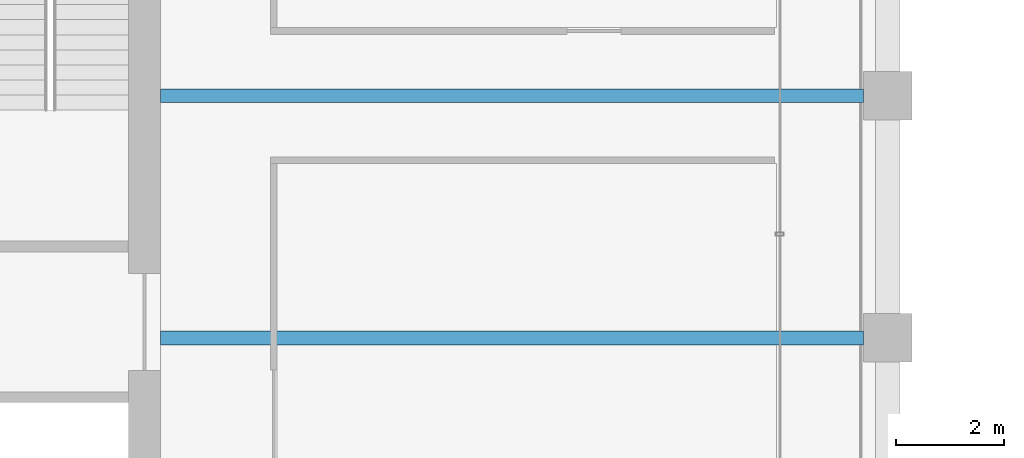
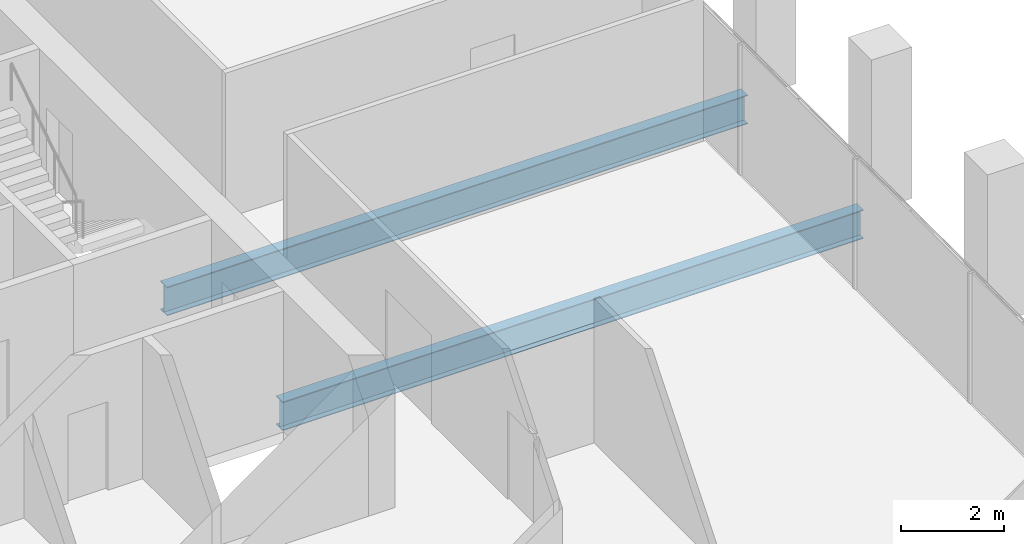
# One storey, part 16 of 40: 2 beams.
"""IFC4 building model written with IfcOpenShell, lengths in metres."""

import ifcopenshell
import ifcopenshell.guid

model = None  # the IFC model being written
_history = None  # IfcOwnerHistory: only IFC2X3 demands one
_inside = {}  # id of a spatial element -> (the spatial element, [elements in it])
_under = {}  # id of a project, library or spatial element -> (it, [spatial elements below it])
_declared = {}  # id of a project -> (the project, [libraries it declares])
_typed = {}  # id of a type object -> (the type object, [elements of that type])
_made_of = {}  # id of a material, layer set ... -> (it, [elements and type objects made of it])


def new_model(schema):
    """Start an empty IFC model of exactly this schema.

    Asked for "IFC4X3", IfcOpenShell would pick the latest addendum, in which some entities
    have other attributes; the version numbers below select the first issue.
    IFC2X3 requires an IfcOwnerHistory on every rooted entity: one is made here for all.
    """
    global model, _history
    if schema == "IFC4X3":
        model = ifcopenshell.file(schema_version=(4, 3, 0, 0))
    else:
        model = ifcopenshell.file(schema=schema)
    _inside.clear()
    _under.clear()
    _declared.clear()
    _typed.clear()
    _made_of.clear()
    _history = None
    if model.schema == "IFC2X3":
        org = make("IfcOrganization", Name="unknown")
        user = make(
            "IfcPersonAndOrganization",
            ThePerson=make("IfcPerson", FamilyName="unknown"),
            TheOrganization=org,
        )
        app = make(
            "IfcApplication",
            ApplicationDeveloper=org,
            Version="unknown",
            ApplicationFullName="unknown",
            ApplicationIdentifier="unknown",
        )
        _history = make(
            "IfcOwnerHistory",
            OwningUser=user,
            OwningApplication=app,
            ChangeAction="ADDED",
            CreationDate=0,
        )
    return model


def make(cls, **values):
    """One entity of the class cls with the attributes given. An attribute that is None is left unset."""
    return model.create_entity(
        cls, **{name: value for name, value in values.items() if value is not None}
    )


def rooted(cls, **values):
    """An entity with a GlobalId (a new one), such as an element, a storey or a relation."""
    return make(cls, GlobalId=ifcopenshell.guid.new(), OwnerHistory=_history, **values)


def si_unit(unit_type, name, prefix=None):
    """IfcSIUnit, for example si_unit("LENGTHUNIT", "METRE", prefix="MILLI")."""
    return make("IfcSIUnit", UnitType=unit_type, Prefix=prefix, Name=name)


def assignment(units):
    """IfcUnitAssignment: the units of a project."""
    return None if units is None else make("IfcUnitAssignment", Units=units)


def point(xyz):
    """IfcCartesianPoint."""
    return None if xyz is None else make("IfcCartesianPoint", Coordinates=xyz)


def direction(xyz):
    """IfcDirection."""
    return None if xyz is None else make("IfcDirection", DirectionRatios=xyz)


def frame(location, z_axis=None, x_axis=None):
    """IfcAxis2Placement3D, a coordinate frame: its origin and axes. An axis left out is left unset."""
    return make(
        "IfcAxis2Placement3D",
        Location=point(location),
        Axis=direction(z_axis),
        RefDirection=direction(x_axis),
    )


def frame_2d(location, x_axis=None):
    """IfcAxis2Placement2D, a coordinate frame in the plane: its origin and x axis."""
    return make(
        "IfcAxis2Placement2D", Location=point(location), RefDirection=direction(x_axis)
    )


def origin():
    """The frame at (0, 0, 0) with its axes left unset."""
    return frame((0.0, 0.0, 0.0))


def origin_2d():
    """The frame at (0, 0) in the plane with its x axis left unset."""
    return frame_2d((0.0, 0.0))


def place(relative_to, where):
    """IfcLocalPlacement: puts the frame where relative to a parent placement (None: the world)."""
    return make(
        "IfcLocalPlacement", PlacementRelTo=relative_to, RelativePlacement=where
    )


def context(
    kind, dimensions, precision=None, world=None, true_north=None, identifier=None
):
    """IfcGeometricRepresentationContext, for example the 3D "Model" context."""
    return make(
        "IfcGeometricRepresentationContext",
        ContextIdentifier=identifier,
        ContextType=kind,
        CoordinateSpaceDimension=dimensions,
        Precision=precision,
        WorldCoordinateSystem=world,
        TrueNorth=true_north,
    )


def subcontext(parent, identifier, kind, view, scale=None):
    """IfcGeometricRepresentationSubContext, for example "Body" below "Model"."""
    return make(
        "IfcGeometricRepresentationSubContext",
        ContextIdentifier=identifier,
        ContextType=kind,
        ParentContext=parent,
        TargetScale=scale,
        TargetView=view,
    )


def project(units=None, contexts=None):
    """IfcProject with its units and contexts."""
    return rooted(
        "IfcProject",
        Name="project",
        RepresentationContexts=contexts,
        UnitsInContext=assignment(units),
    )


def spatial(cls, under=None, at=None, **own):
    """A site, building, storey or space (cls), placed at a placement, below another one or the project."""
    s = rooted(cls, ObjectPlacement=at, **own)
    if under is not None:
        _under.setdefault(under.id(), (under, []))[1].append(s)
    return s


def profile(cls, at=None, kind="AREA", **sizes):
    """A parametric profile (cls). Its sizes go by their IFC names, for example OverallWidth=200.0."""
    return make(cls, ProfileType=kind, Position=at, **sizes)


def i_section(**sizes):
    """IfcIShapeProfileDef."""
    return profile("IfcIShapeProfileDef", **sizes)


def extrude(swept, where, along, depth):
    """IfcExtrudedAreaSolid: the profile swept, set in the frame where, extruded along a direction by depth."""
    return make(
        "IfcExtrudedAreaSolid",
        SweptArea=swept,
        Position=where,
        ExtrudedDirection=direction(along),
        Depth=depth,
    )


def shape(context_of_items, identifier, shape_type, items):
    """IfcShapeRepresentation: the items that make up one representation, for example the "Body"."""
    return make(
        "IfcShapeRepresentation",
        ContextOfItems=context_of_items,
        RepresentationIdentifier=identifier,
        RepresentationType=shape_type,
        Items=items,
    )


def material(Name=None, Category=None):
    """IfcMaterial."""
    return make("IfcMaterial", Name=Name, Category=Category)


def material_profile(
    of_material, cross_section, Name=None, Category=None, Priority=None
):
    """IfcMaterialProfile: a cross section and its material."""
    return make(
        "IfcMaterialProfile",
        Name=Name,
        Material=of_material,
        Profile=cross_section,
        Priority=Priority,
        Category=Category,
    )


def profile_set(profiles, Name=None, composite=None):
    """IfcMaterialProfileSet."""
    return make(
        "IfcMaterialProfileSet",
        Name=Name,
        MaterialProfiles=profiles,
        CompositeProfile=composite,
    )


def made_of(thing, what):
    """Note that an element or type object is made of a material, layer set ...; save() writes the relation."""
    if what is not None:
        _made_of.setdefault(what.id(), (what, []))[1].append(thing)
    return thing


def type_object(cls, material=None, **own):
    """A type object (cls), such as IfcWallType, which elements share."""
    return made_of(rooted(cls, **own), material)


def element(
    cls,
    number,
    at=None,
    inside=None,
    cuts=None,
    type_object=None,
    material=None,
    context=None,
    identifier="Body",
    shape_type=None,
    held_by="IfcProductDefinitionShape",
    body=None,
    shapes=None,
    **own,
):
    """One element of the class cls, such as IfcWall. Its Tag is "e" and its number.

    at: its placement. inside: the storey or other place that contains it. cuts: it is an
    opening in that element (IfcRelVoidsElement). A single representation is given by context,
    identifier, shape_type and body (its items); several are given by shapes. held_by: the class
    of the entity that holds the representations. save() writes the other relations.
    """
    e = rooted(cls, Tag="e%d" % number, ObjectPlacement=at, **own)
    if body is not None:
        shapes = [shape(context, identifier, shape_type, body)]
    if shapes is not None:
        e.Representation = make(held_by, Representations=shapes)
    if inside is not None:
        _inside.setdefault(inside.id(), (inside, []))[1].append(e)
    if cuts is not None:
        rooted(
            "IfcRelVoidsElement", RelatingBuildingElement=cuts, RelatedOpeningElement=e
        )
    if type_object is not None:
        _typed.setdefault(type_object.id(), (type_object, []))[1].append(e)
    return made_of(e, material)


def aggregate(whole, parts):
    """IfcRelAggregates: a whole, such as a stair, and the parts it consists of."""
    return rooted("IfcRelAggregates", RelatingObject=whole, RelatedObjects=parts)


def save(model, path):
    """Write the relations noted so far, then the file.

    IfcRelAggregates (storeys below a building ...), IfcRelContainedInSpatialStructure (elements
    in a storey), IfcRelDefinesByType, IfcRelAssociatesMaterial and IfcRelDeclares: one each for
    every whole, place, type object, material and project.
    """
    for whole, parts in _under.values():
        aggregate(whole, parts)
    for where, things in _inside.values():
        rooted(
            "IfcRelContainedInSpatialStructure",
            RelatedElements=things,
            RelatingStructure=where,
        )
    for kind, things in _typed.values():
        rooted("IfcRelDefinesByType", RelatedObjects=things, RelatingType=kind)
    for what, things in _made_of.values():
        rooted("IfcRelAssociatesMaterial", RelatedObjects=things, RelatingMaterial=what)
    for by, libraries in _declared.values():
        rooted("IfcRelDeclares", RelatingContext=by, RelatedDefinitions=libraries)
    model.write(path)


model = new_model("IFC4")

# Units and contexts
model_context = context("Model", 3, precision=1e-05, world=origin(), true_north=direction((0.0, 1.0)))
body_context = subcontext(model_context, "Body", "Model", "MODEL_VIEW")
ifc_project = project(units=[si_unit("LENGTHUNIT", "METRE"), si_unit("AREAUNIT", "SQUARE_METRE"), si_unit("VOLUMEUNIT", "CUBIC_METRE"), si_unit("PLANEANGLEUNIT", "RADIAN"), si_unit("MASSUNIT", "GRAM", prefix="KILO")], contexts=[model_context])

# Site, building, storey
site_placement = place(None, origin())
site = spatial("IfcSite", under=ifc_project, at=site_placement, CompositionType="ELEMENT")
building_placement = place(site_placement, origin())
building = spatial("IfcBuilding", under=site, at=building_placement, Name="Altepetl Exchange Towers", CompositionType="ELEMENT")
storey_placement = place(building_placement, frame((0.0, 0.0, 165.39990234375)))
storey = spatial("IfcBuildingStorey", under=building, at=storey_placement, Name="L41", CompositionType="ELEMENT", Elevation=165.39990234375)

# Beams
ifc_material = material(Name="Steel S355", Category="steel")
ifc_material_profile = material_profile(ifc_material, i_section(OverallWidth=0.25390625, OverallDepth=0.68408203125, WebThickness=0.012451171875, FlangeThickness=0.018798828125, at=origin_2d()), Name="W27X94")
ifc_profile_set = profile_set([ifc_material_profile], Name="Steel S355")
beam_type = type_object("IfcBeamType", Name="Floor beam W27X94", PredefinedType="BEAM", material=ifc_profile_set)
for number, where, z_axis, x_axis, name in (
    (1, (58.5, 45.0, -0.491943359375), (1.0, 0.0, 0.0), (0.0, 1.0, 0.0), "bm:A:L41:009"),
    (2, (58.5, 49.5, -0.491943359375), (1.0, 0.0, 0.0), (0.0, 1.0, 0.0), "bm:A:L41:010"),
):
    element("IfcBeam", number, at=place(storey_placement, frame(where, z_axis=z_axis, x_axis=x_axis)), inside=storey, type_object=beam_type, Name=name, PredefinedType="BEAM", context=body_context, shape_type="SweptSolid", body=[
        extrude(i_section(OverallWidth=0.25390625, OverallDepth=0.68408203125, WebThickness=0.012451171875, FlangeThickness=0.018798828125, at=origin_2d()), origin(), (0.0, 0.0, 1.0), 13.050048828125),
    ])

save(model, "model.ifc")
